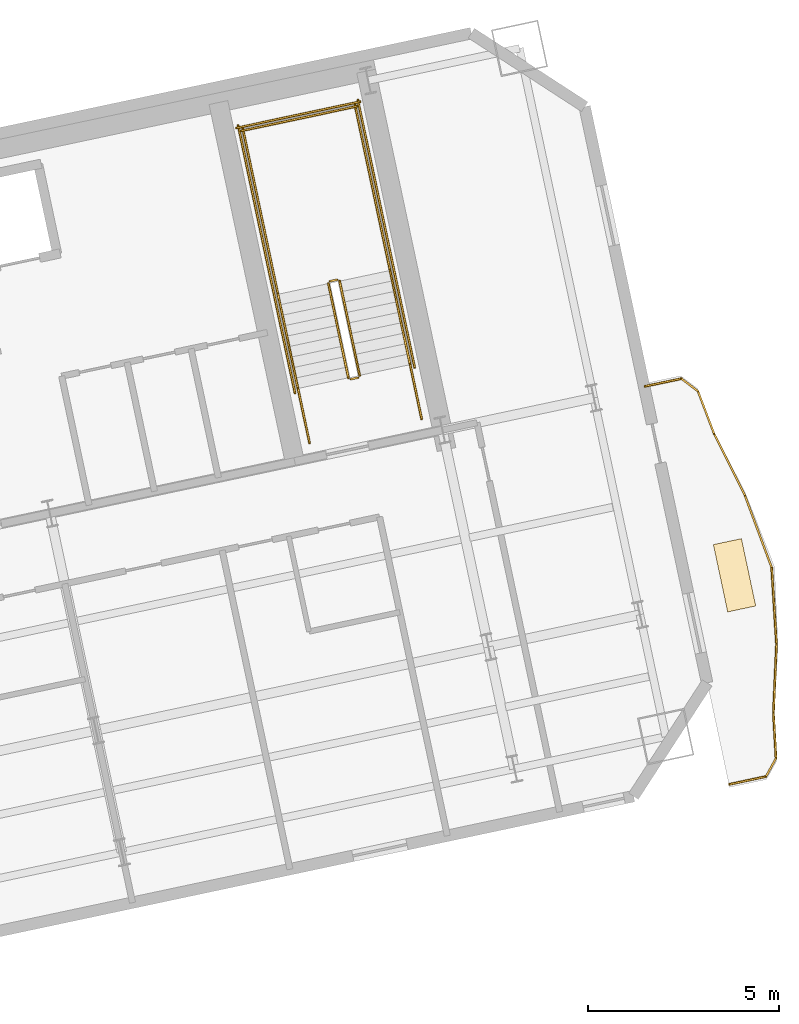
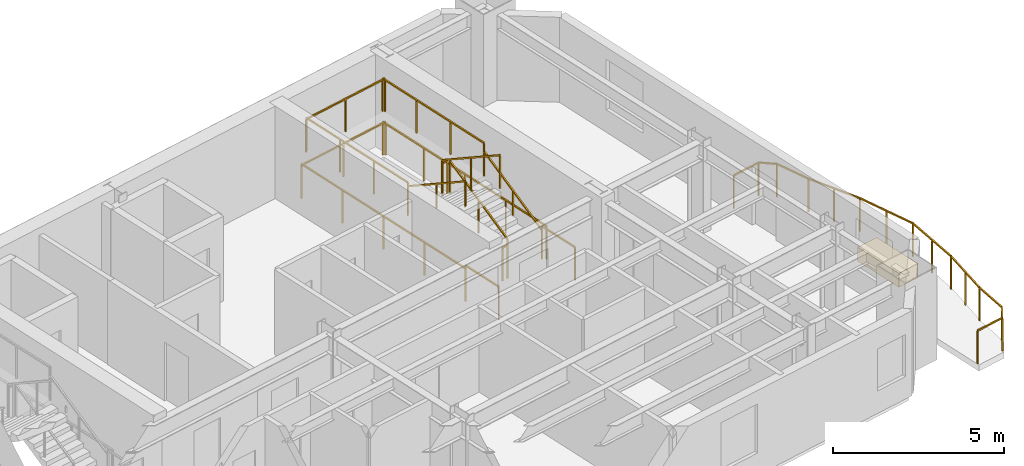
# One storey, part 13 of 13: 24 railings, 1 covering.
"""IFC4 building model written with IfcOpenShell, lengths in metres."""

from ifc_helpers import new_model, si_unit, direction, frame, origin, origin_2d, place, context, subcontext, project, spatial, rectangle, extrude, material, layer, layer_set, type_object, element, save


model = new_model("IFC4")

# Units and contexts
model_context = context("Model", 3, precision=1e-05, world=origin(), true_north=direction((0.0, 1.0)))
body_context = subcontext(model_context, "Body", "Model", "MODEL_VIEW")
ifc_project = project(units=[si_unit("LENGTHUNIT", "METRE"), si_unit("AREAUNIT", "SQUARE_METRE"), si_unit("VOLUMEUNIT", "CUBIC_METRE"), si_unit("PLANEANGLEUNIT", "RADIAN"), si_unit("MASSUNIT", "GRAM", prefix="KILO")], contexts=[model_context])

# Site, building, storey
site_placement = place(None, origin())
site = spatial("IfcSite", under=ifc_project, at=site_placement, CompositionType="ELEMENT")
building_placement = place(site_placement, origin())
building = spatial("IfcBuilding", under=site, at=building_placement, Name="Haevon Station Towers", CompositionType="ELEMENT")
storey_placement = place(building_placement, frame((0.0, 0.0, 162.60009765625)))
storey = spatial("IfcBuildingStorey", under=building, at=storey_placement, Name="L44", CompositionType="ELEMENT", Elevation=162.60009765625)

# Railings
ifc_material_1 = material(Name="Steel S355", Category="steel")
railing_type_1 = type_object("IfcRailingType", Name="GRD-EXT1200", PredefinedType="GUARDRAIL", material=ifc_material_1)
railing_1_placement = place(storey_placement, frame((126.807861328125, 32.541259765625, 0.0)))
element("IfcRailing", 1, at=railing_1_placement, inside=storey, type_object=railing_type_1, Name="L44 Perimeter Guardrail 1", PredefinedType="GUARDRAIL", context=body_context, shape_type="SweptSolid", body=[
    extrude(rectangle(XDim=0.048095703125, YDim=0.048095703125, at=origin_2d()), frame((0.0, 0.0, 1.17578125), z_axis=(0.97771801885, 0.209922546707, 0.0), x_axis=(-0.209922546707, 0.97771801885, 0.0)), (0.0, 0.0, 1.0), 0.974609375),
    extrude(rectangle(XDim=0.0419921875, YDim=0.0419921875, at=origin_2d()), origin(), (0.0, 0.0, 1.0), 1.15185546875),
    extrude(rectangle(XDim=0.0419921875, YDim=0.0419921875, at=origin_2d()), frame((0.952880859375, 0.20458984375, 0.0)), (0.0, 0.0, 1.0), 1.15185546875),
])
railing_2_placement = place(storey_placement, frame((127.7607421875, 32.745849609375, 0.0)))
element("IfcRailing", 2, at=railing_2_placement, inside=storey, type_object=railing_type_1, Name="L44 Perimeter Guardrail 2", PredefinedType="GUARDRAIL", context=body_context, shape_type="SweptSolid", body=[
    extrude(rectangle(XDim=0.048095703125, YDim=0.048095703125, at=origin_2d()), frame((0.0, 0.0, 1.17578125), z_axis=(0.480553613798, 0.876965349524, 0.0), x_axis=(-0.876965349524, 0.480553613798, 0.0)), (0.0, 0.0, 1.0), 0.54248046875),
    extrude(rectangle(XDim=0.0419921875, YDim=0.0419921875, at=origin_2d()), origin(), (0.0, 0.0, 1.0), 1.15185546875),
    extrude(rectangle(XDim=0.0419921875, YDim=0.0419921875, at=origin_2d()), frame((0.2607421875, 0.475830078125, 0.0)), (0.0, 0.0, 1.0), 1.15185546875),
])
railing_3_placement = place(storey_placement, frame((128.021484375, 33.2216796875, 0.0)))
element("IfcRailing", 3, at=railing_3_placement, inside=storey, type_object=railing_type_1, Name="L44 Perimeter Guardrail 3", PredefinedType="GUARDRAIL", context=body_context, shape_type="SweptSolid", body=[
    extrude(rectangle(XDim=0.048095703125, YDim=0.048095703125, at=origin_2d()), frame((0.0, 0.0, 1.17578125), z_axis=(-0.056486171086, 0.998403381643, 0.0), x_axis=(-0.998403381643, -0.056486171086, 0.0)), (0.0, 0.0, 1.0), 1.184326171875),
    extrude(rectangle(XDim=0.0419921875, YDim=0.0419921875, at=origin_2d()), origin(), (0.0, 0.0, 1.0), 1.15185546875),
    extrude(rectangle(XDim=0.0419921875, YDim=0.0419921875, at=origin_2d()), frame((-0.06689453125, 1.182373046875, 0.0)), (0.0, 0.0, 1.0), 1.15185546875),
])
railing_4_placement = place(storey_placement, frame((127.95458984375, 34.404052734375, 0.0)))
element("IfcRailing", 4, at=railing_4_placement, inside=storey, type_object=railing_type_1, Name="L44 Perimeter Guardrail 4", PredefinedType="GUARDRAIL", context=body_context, shape_type="SweptSolid", body=[
    extrude(rectangle(XDim=0.048095703125, YDim=0.048095703125, at=origin_2d()), frame((0.0, 0.0, 1.17578125), z_axis=(0.044358621954, 0.999015671878, 0.0), x_axis=(-0.999015671878, 0.044358621954, 0.0)), (0.0, 0.0, 1.0), 1.80517578125),
    extrude(rectangle(XDim=0.0419921875, YDim=0.0419921875, at=origin_2d()), origin(), (0.0, 0.0, 1.0), 1.15185546875),
    extrude(rectangle(XDim=0.0419921875, YDim=0.0419921875, at=origin_2d()), frame((0.0400390625, 0.90185546875, 0.0)), (0.0, 0.0, 1.0), 1.15185546875),
    extrude(rectangle(XDim=0.0419921875, YDim=0.0419921875, at=origin_2d()), frame((0.080078125, 1.803466796875, 0.0)), (0.0, 0.0, 1.0), 1.15185546875),
])
railing_5_placement = place(storey_placement, frame((128.03466796875, 36.20751953125, 0.0)))
element("IfcRailing", 5, at=railing_5_placement, inside=storey, type_object=railing_type_1, Name="L44 Perimeter Guardrail 5", PredefinedType="GUARDRAIL", context=body_context, shape_type="SweptSolid", body=[
    extrude(rectangle(XDim=0.048095703125, YDim=0.048095703125, at=origin_2d()), frame((0.0, 0.0, 1.17578125), z_axis=(-0.063201459977, 0.998000789307, 0.0), x_axis=(-0.998000789307, -0.063201459977, 0.0)), (0.0, 0.0, 1.0), 2.012451171875),
    extrude(rectangle(XDim=0.0419921875, YDim=0.0419921875, at=origin_2d()), origin(), (0.0, 0.0, 1.0), 1.15185546875),
    extrude(rectangle(XDim=0.0419921875, YDim=0.0419921875, at=origin_2d()), frame((-0.0634765625, 1.00439453125, 0.0)), (0.0, 0.0, 1.0), 1.15185546875),
    extrude(rectangle(XDim=0.0419921875, YDim=0.0419921875, at=origin_2d()), frame((-0.127197265625, 2.008544921875, 0.0)), (0.0, 0.0, 1.0), 1.15185546875),
])
railing_6_placement = place(storey_placement, frame((127.907470703125, 38.216064453125, 0.0)))
element("IfcRailing", 6, at=railing_6_placement, inside=storey, type_object=railing_type_1, Name="L44 Perimeter Guardrail 6", PredefinedType="GUARDRAIL", context=body_context, shape_type="SweptSolid", body=[
    extrude(rectangle(XDim=0.048095703125, YDim=0.048095703125, at=origin_2d()), frame((0.0, 0.0, 1.17578125), z_axis=(-0.34818348359, 0.937426403381, 0.0), x_axis=(-0.937426403381, -0.34818348359, 0.0)), (0.0, 0.0, 1.0), 2.012451171875),
    extrude(rectangle(XDim=0.0419921875, YDim=0.0419921875, at=origin_2d()), origin(), (0.0, 0.0, 1.0), 1.15185546875),
    extrude(rectangle(XDim=0.0419921875, YDim=0.0419921875, at=origin_2d()), frame((-0.350341796875, 0.943359375, 0.0)), (0.0, 0.0, 1.0), 1.15185546875),
    extrude(rectangle(XDim=0.0419921875, YDim=0.0419921875, at=origin_2d()), frame((-0.70068359375, 1.886474609375, 0.0)), (0.0, 0.0, 1.0), 1.15185546875),
])
railing_7_placement = place(storey_placement, frame((127.206787109375, 40.1025390625, 0.0)))
element("IfcRailing", 7, at=railing_7_placement, inside=storey, type_object=railing_type_1, Name="L44 Perimeter Guardrail 7", PredefinedType="GUARDRAIL", context=body_context, shape_type="SweptSolid", body=[
    extrude(rectangle(XDim=0.048095703125, YDim=0.048095703125, at=origin_2d()), frame((0.0, 0.0, 1.17578125), z_axis=(-0.446780825657, 0.89464344508, 0.0), x_axis=(-0.89464344508, -0.446780825657, 0.0)), (0.0, 0.0, 1.0), 1.805419921875),
    extrude(rectangle(XDim=0.0419921875, YDim=0.0419921875, at=origin_2d()), origin(), (0.0, 0.0, 1.0), 1.15185546875),
    extrude(rectangle(XDim=0.0419921875, YDim=0.0419921875, at=origin_2d()), frame((-0.4033203125, 0.8076171875, 0.0)), (0.0, 0.0, 1.0), 1.15185546875),
    extrude(rectangle(XDim=0.0419921875, YDim=0.0419921875, at=origin_2d()), frame((-0.806640625, 1.615234375, 0.0)), (0.0, 0.0, 1.0), 1.15185546875),
])
railing_8_placement = place(storey_placement, frame((126.400146484375, 41.7177734375, 0.0)))
element("IfcRailing", 8, at=railing_8_placement, inside=storey, type_object=railing_type_1, Name="L44 Perimeter Guardrail 8", PredefinedType="GUARDRAIL", context=body_context, shape_type="SweptSolid", body=[
    extrude(rectangle(XDim=0.048095703125, YDim=0.048095703125, at=origin_2d()), frame((0.0, 0.0, 1.17578125), z_axis=(-0.354623157462, 0.935009313425, 0.0), x_axis=(-0.935009313425, -0.354623157462, 0.0)), (0.0, 0.0, 1.0), 1.18408203125),
    extrude(rectangle(XDim=0.0419921875, YDim=0.0419921875, at=origin_2d()), origin(), (0.0, 0.0, 1.0), 1.15185546875),
    extrude(rectangle(XDim=0.0419921875, YDim=0.0419921875, at=origin_2d()), frame((-0.419921875, 1.107177734375, 0.0)), (0.0, 0.0, 1.0), 1.15185546875),
])
railing_9_placement = place(storey_placement, frame((125.980224609375, 42.824951171875, 0.0)))
element("IfcRailing", 9, at=railing_9_placement, inside=storey, type_object=railing_type_1, Name="L44 Perimeter Guardrail 9", PredefinedType="GUARDRAIL", context=body_context, shape_type="SweptSolid", body=[
    extrude(rectangle(XDim=0.048095703125, YDim=0.048095703125, at=origin_2d()), frame((0.0, 0.0, 1.17578125), z_axis=(-0.795823981278, 0.605528026456, 0.0), x_axis=(-0.605528026456, -0.795823981278, 0.0)), (0.0, 0.0, 1.0), 0.542724609375),
    extrude(rectangle(XDim=0.0419921875, YDim=0.0419921875, at=origin_2d()), origin(), (0.0, 0.0, 1.0), 1.15185546875),
    extrude(rectangle(XDim=0.0419921875, YDim=0.0419921875, at=origin_2d()), frame((-0.431884765625, 0.32861328125, 0.0)), (0.0, 0.0, 1.0), 1.15185546875),
])
railing_10_placement = place(storey_placement, frame((125.54833984375, 43.153564453125, 0.0)))
element("IfcRailing", 10, at=railing_10_placement, inside=storey, type_object=railing_type_1, Name="L44 Perimeter Guardrail 10", PredefinedType="GUARDRAIL", context=body_context, shape_type="SweptSolid", body=[
    extrude(rectangle(XDim=0.048095703125, YDim=0.048095703125, at=origin_2d()), frame((0.0, 0.0, 1.17578125), z_axis=(-0.978555102227, -0.205985222543, 0.0), x_axis=(0.205985222543, -0.978555102227, 0.0)), (0.0, 0.0, 1.0), 0.974365234375),
    extrude(rectangle(XDim=0.0419921875, YDim=0.0419921875, at=origin_2d()), origin(), (0.0, 0.0, 1.0), 1.15185546875),
    extrude(rectangle(XDim=0.0419921875, YDim=0.0419921875, at=origin_2d()), frame((-0.953369140625, -0.20068359375, 0.0)), (0.0, 0.0, 1.0), 1.15185546875),
])
railing_type_2 = type_object("IfcRailingType", Name="GRD-STR1200", PredefinedType="GUARDRAIL", material=ifc_material_1)
railing_11_placement = place(storey_placement, frame((117.128662109375, 43.23974609375, 0.164794921875)))
element("IfcRailing", 11, at=railing_11_placement, inside=storey, type_object=railing_type_2, Name="L44 ST4 Stair Guard 1", PredefinedType="GUARDRAIL", context=body_context, shape_type="SweptSolid", body=[
    extrude(rectangle(XDim=0.048095703125, YDim=0.048095703125, at=origin_2d()), frame((0.0, 0.0, 1.17578125), z_axis=(-0.179121265225, 0.842687928106, 0.507732831485), x_axis=(-0.978147030254, -0.207914374695, 0.0)), (0.0, 0.0, 1.0), 2.925048828125),
    extrude(rectangle(XDim=0.0419921875, YDim=0.0419921875, at=origin_2d()), origin(), (0.0, 0.0, 1.0), 1.15185546875),
    extrude(rectangle(XDim=0.0419921875, YDim=0.0419921875, at=origin_2d()), frame((-0.261962890625, 1.232421875, 0.74267578125)), (0.0, 0.0, 1.0), 1.15185546875),
    extrude(rectangle(XDim=0.0419921875, YDim=0.0419921875, at=origin_2d()), frame((-0.52392578125, 2.46484375, 1.485107421875)), (0.0, 0.0, 1.0), 1.15185546875),
])
railing_12_placement = place(storey_placement, frame((116.54541015625, 45.7431640625, 1.64990234375)))
element("IfcRailing", 12, at=railing_12_placement, inside=storey, type_object=railing_type_2, Name="L44 ST4 Stair Guard 2", PredefinedType="GUARDRAIL", context=body_context, shape_type="SweptSolid", body=[
    extrude(rectangle(XDim=0.048095703125, YDim=0.048095703125, at=origin_2d()), frame((0.0, 0.0, 1.17578125), z_axis=(-0.97826412705, -0.207362720198, 0.0), x_axis=(0.207362720198, -0.97826412705, 0.0)), (0.0, 0.0, 1.0), 0.2001953125),
    extrude(rectangle(XDim=0.0419921875, YDim=0.0419921875, at=origin_2d()), origin(), (0.0, 0.0, 1.0), 1.15185546875),
    extrude(rectangle(XDim=0.0419921875, YDim=0.0419921875, at=origin_2d()), frame((-0.19580078125, -0.04150390625, 0.0)), (0.0, 0.0, 1.0), 1.15185546875),
])
railing_13_placement = place(storey_placement, frame((117.925048828125, 45.9853515625, 1.64990234375)))
element("IfcRailing", 13, at=railing_13_placement, inside=storey, type_object=railing_type_2, Name="L44 ST4 Stair Guard 3", PredefinedType="GUARDRAIL", context=body_context, shape_type="SweptSolid", body=[
    extrude(rectangle(XDim=0.048095703125, YDim=0.048095703125, at=origin_2d()), frame((0.0, 0.0, 1.17578125), z_axis=(-0.207876551949, 0.978155069071, 0.0), x_axis=(-0.978155069071, -0.207876551949, 0.0)), (0.0, 0.0, 1.0), 4.429931640625),
    extrude(rectangle(XDim=0.0419921875, YDim=0.0419921875, at=origin_2d()), origin(), (0.0, 0.0, 1.0), 1.15185546875),
    extrude(rectangle(XDim=0.0419921875, YDim=0.0419921875, at=origin_2d()), frame((-0.306884765625, 1.4443359375, 0.0)), (0.0, 0.0, 1.0), 1.15185546875),
    extrude(rectangle(XDim=0.0419921875, YDim=0.0419921875, at=origin_2d()), frame((-0.614013671875, 2.888916015625, 0.0)), (0.0, 0.0, 1.0), 1.15185546875),
    extrude(rectangle(XDim=0.0419921875, YDim=0.0419921875, at=origin_2d()), frame((-0.9208984375, 4.333251953125, 0.0)), (0.0, 0.0, 1.0), 1.15185546875),
])
railing_14_placement = place(storey_placement, frame((114.99072265625, 45.361572265625, 1.64990234375)))
element("IfcRailing", 14, at=railing_14_placement, inside=storey, type_object=railing_type_2, Name="L44 ST4 Stair Guard 4", PredefinedType="GUARDRAIL", context=body_context, shape_type="SweptSolid", body=[
    extrude(rectangle(XDim=0.048095703125, YDim=0.048095703125, at=origin_2d()), frame((0.0, 0.0, 1.17578125), z_axis=(-0.207929280007, 0.978143861871, 0.0), x_axis=(-0.978143861871, -0.207929280007, 0.0)), (0.0, 0.0, 1.0), 4.43017578125),
    extrude(rectangle(XDim=0.0419921875, YDim=0.0419921875, at=origin_2d()), origin(), (0.0, 0.0, 1.0), 1.15185546875),
    extrude(rectangle(XDim=0.0419921875, YDim=0.0419921875, at=origin_2d()), frame((-0.30712890625, 1.4443359375, 0.0)), (0.0, 0.0, 1.0), 1.15185546875),
    extrude(rectangle(XDim=0.0419921875, YDim=0.0419921875, at=origin_2d()), frame((-0.614013671875, 2.888916015625, 0.0)), (0.0, 0.0, 1.0), 1.15185546875),
    extrude(rectangle(XDim=0.0419921875, YDim=0.0419921875, at=origin_2d()), frame((-0.921142578125, 4.333251953125, 0.0)), (0.0, 0.0, 1.0), 1.15185546875),
])
railing_15_placement = place(storey_placement, frame((117.0634765625, 50.280029296875, 1.64990234375)))
element("IfcRailing", 15, at=railing_15_placement, inside=storey, type_object=railing_type_2, Name="L44 ST4 Stair Guard 5", PredefinedType="GUARDRAIL", context=body_context, shape_type="SweptSolid", body=[
    extrude(rectangle(XDim=0.048095703125, YDim=0.048095703125, at=origin_2d()), frame((0.0, 0.0, 1.17578125), z_axis=(-0.978146839882, -0.207915270313, 0.0), x_axis=(0.207915270313, -0.978146839882, 0.0)), (0.0, 0.0, 1.0), 3.099853515625),
    extrude(rectangle(XDim=0.0419921875, YDim=0.0419921875, at=origin_2d()), origin(), (0.0, 0.0, 1.0), 1.15185546875),
    extrude(rectangle(XDim=0.0419921875, YDim=0.0419921875, at=origin_2d()), frame((-1.51611328125, -0.322265625, 0.0)), (0.0, 0.0, 1.0), 1.15185546875),
    extrude(rectangle(XDim=0.0419921875, YDim=0.0419921875, at=origin_2d()), frame((-3.0322265625, -0.64453125, 0.0)), (0.0, 0.0, 1.0), 1.15185546875),
])
railing_16_placement = place(storey_placement, frame((116.311279296875, 45.642333984375, 1.81494140625)))
element("IfcRailing", 16, at=railing_16_placement, inside=storey, type_object=railing_type_2, Name="L44 ST4 Stair Guard 6", PredefinedType="GUARDRAIL", context=body_context, shape_type="SweptSolid", body=[
    extrude(rectangle(XDim=0.048095703125, YDim=0.048095703125, at=origin_2d()), frame((0.0, 0.0, 1.17578125), z_axis=(0.179116256339, -0.842747828638, 0.507635168246), x_axis=(0.978151217824, 0.207894673017, 0.0)), (0.0, 0.0, 1.0), 2.925048828125),
    extrude(rectangle(XDim=0.0419921875, YDim=0.0419921875, at=origin_2d()), origin(), (0.0, 0.0, 1.0), 1.15185546875),
    extrude(rectangle(XDim=0.0419921875, YDim=0.0419921875, at=origin_2d()), frame((0.261962890625, -1.232421875, 0.742431640625)), (0.0, 0.0, 1.0), 1.15185546875),
    extrude(rectangle(XDim=0.0419921875, YDim=0.0419921875, at=origin_2d()), frame((0.52392578125, -2.465087890625, 1.48486328125)), (0.0, 0.0, 1.0), 1.15185546875),
])
railing_17_placement = place(storey_placement, frame((117.090087890625, 43.180419921875, 0.0)))
element("IfcRailing", 17, at=railing_17_placement, inside=storey, type_object=railing_type_2, Name="L44 ST4 Stair Guard 7", PredefinedType="GUARDRAIL", context=body_context, shape_type="SweptSolid", body=[
    extrude(rectangle(XDim=0.048095703125, YDim=0.048095703125, at=origin_2d()), frame((0.0, 0.0, 1.17578125), z_axis=(-0.978211583308, -0.207610448392, 0.0), x_axis=(0.207610448392, -0.978211583308, 0.0)), (0.0, 0.0, 1.0), 0.199951171875),
    extrude(rectangle(XDim=0.0419921875, YDim=0.0419921875, at=origin_2d()), origin(), (0.0, 0.0, 1.0), 1.15185546875),
    extrude(rectangle(XDim=0.0419921875, YDim=0.0419921875, at=origin_2d()), frame((-0.195556640625, -0.04150390625, 0.0)), (0.0, 0.0, 1.0), 1.15185546875),
])
for number, where, name in (
    (18, (118.75048828125, 42.10205078125, 0.0), "L44 ST4 Stair Guard 8"),
    (19, (115.816162109375, 41.478271484375, 0.0), "L44 ST4 Stair Guard 9"),
):
    element("IfcRailing", number, at=place(storey_placement, frame(where)), inside=storey, type_object=railing_type_2, Name=name, PredefinedType="GUARDRAIL", context=body_context, shape_type="SweptSolid", body=[
        extrude(rectangle(XDim=0.048095703125, YDim=0.048095703125, at=origin_2d()), frame((0.0, 0.0, 1.17578125), z_axis=(-0.207919161079, 0.978146012851, 0.0), x_axis=(-0.978146012851, -0.207919161079, 0.0)), (0.0, 0.0, 1.0), 1.4501953125),
        extrude(rectangle(XDim=0.0419921875, YDim=0.0419921875, at=origin_2d()), origin(), (0.0, 0.0, 1.0), 1.15185546875),
        extrude(rectangle(XDim=0.0419921875, YDim=0.0419921875, at=origin_2d()), frame((-0.301513671875, 1.41845703125, 0.0)), (0.0, 0.0, 1.0), 1.15185546875),
    ])
railing_18_placement = place(storey_placement, frame((118.567626953125, 43.443359375, 0.0)))
element("IfcRailing", 20, at=railing_18_placement, inside=storey, type_object=railing_type_2, Name="L44 ST4 Stair Guard 10", PredefinedType="GUARDRAIL", context=body_context, shape_type="SweptSolid", body=[
    extrude(rectangle(XDim=0.048095703125, YDim=0.048095703125, at=origin_2d()), frame((0.0, 0.0, 1.17578125), z_axis=(-0.207908168386, 0.978148349443, 0.0), x_axis=(-0.978148349443, -0.207908168386, 0.0)), (0.0, 0.0, 1.0), 7.150146484375),
    extrude(rectangle(XDim=0.0419921875, YDim=0.0419921875, at=origin_2d()), origin(), (0.0, 0.0, 1.0), 1.15185546875),
    extrude(rectangle(XDim=0.0419921875, YDim=0.0419921875, at=origin_2d()), frame((-0.37158203125, 1.74853515625, 0.0)), (0.0, 0.0, 1.0), 1.15185546875),
    extrude(rectangle(XDim=0.0419921875, YDim=0.0419921875, at=origin_2d()), frame((-0.7431640625, 3.4970703125, 0.0)), (0.0, 0.0, 1.0), 1.15185546875),
    extrude(rectangle(XDim=0.0419921875, YDim=0.0419921875, at=origin_2d()), frame((-1.114990234375, 5.245361328125, 0.0)), (0.0, 0.0, 1.0), 1.15185546875),
    extrude(rectangle(XDim=0.0419921875, YDim=0.0419921875, at=origin_2d()), frame((-1.486572265625, 6.993896484375, 0.0)), (0.0, 0.0, 1.0), 1.15185546875),
])
railing_19_placement = place(storey_placement, frame((115.4375, 42.778076171875, 0.0)))
element("IfcRailing", 21, at=railing_19_placement, inside=storey, type_object=railing_type_2, Name="L44 ST4 Stair Guard 11", PredefinedType="GUARDRAIL", context=body_context, shape_type="SweptSolid", body=[
    extrude(rectangle(XDim=0.048095703125, YDim=0.048095703125, at=origin_2d()), frame((0.0, 0.0, 1.17578125), z_axis=(-0.207882442208, 0.978153817261, 0.0), x_axis=(-0.978153817261, -0.207882442208, 0.0)), (0.0, 0.0, 1.0), 7.14990234375),
    extrude(rectangle(XDim=0.0419921875, YDim=0.0419921875, at=origin_2d()), origin(), (0.0, 0.0, 1.0), 1.15185546875),
    extrude(rectangle(XDim=0.0419921875, YDim=0.0419921875, at=origin_2d()), frame((-0.37158203125, 1.74853515625, 0.0)), (0.0, 0.0, 1.0), 1.15185546875),
    extrude(rectangle(XDim=0.0419921875, YDim=0.0419921875, at=origin_2d()), frame((-0.7431640625, 3.496826171875, 0.0)), (0.0, 0.0, 1.0), 1.15185546875),
    extrude(rectangle(XDim=0.0419921875, YDim=0.0419921875, at=origin_2d()), frame((-1.11474609375, 5.2451171875, 0.0)), (0.0, 0.0, 1.0), 1.15185546875),
    extrude(rectangle(XDim=0.0419921875, YDim=0.0419921875, at=origin_2d()), frame((-1.486328125, 6.99365234375, 0.0)), (0.0, 0.0, 1.0), 1.15185546875),
])
railing_20_placement = place(storey_placement, frame((117.140380859375, 50.398681640625, 0.0)))
element("IfcRailing", 22, at=railing_20_placement, inside=storey, type_object=railing_type_2, Name="L44 ST4 Stair Guard 12", PredefinedType="GUARDRAIL", context=body_context, shape_type="SweptSolid", body=[
    extrude(rectangle(XDim=0.048095703125, YDim=0.048095703125, at=origin_2d()), frame((0.0, 0.0, 1.17578125), z_axis=(-0.978135717418, -0.207967589567, 0.0), x_axis=(0.207967589567, -0.978135717418, 0.0)), (0.0, 0.0, 1.0), 3.300048828125),
    extrude(rectangle(XDim=0.0419921875, YDim=0.0419921875, at=origin_2d()), origin(), (0.0, 0.0, 1.0), 1.15185546875),
    extrude(rectangle(XDim=0.0419921875, YDim=0.0419921875, at=origin_2d()), frame((-1.61376953125, -0.34326171875, 0.0)), (0.0, 0.0, 1.0), 1.15185546875),
    extrude(rectangle(XDim=0.0419921875, YDim=0.0419921875, at=origin_2d()), frame((-3.227783203125, -0.686279296875, 0.0)), (0.0, 0.0, 1.0), 1.15185546875),
])
railing_type_3 = type_object("IfcRailingType", Name="HND-STR900", PredefinedType="HANDRAIL", material=ifc_material_1)
railing_21_placement = place(storey_placement, frame((118.448974609375, 43.5205078125, 0.164794921875)))
element("IfcRailing", 23, at=railing_21_placement, inside=storey, type_object=railing_type_3, Name="L44 ST4 Stair Handrail 1", PredefinedType="HANDRAIL", context=body_context, shape_type="SweptSolid", body=[
    extrude(rectangle(XDim=0.048095703125, YDim=0.048095703125, at=origin_2d()), frame((0.0, 0.0, 0.8759765625), z_axis=(-0.179121265225, 0.842687928106, 0.507732831485), x_axis=(-0.978147030254, -0.207914374695, 0.0)), (0.0, 0.0, 1.0), 2.925048828125),
    extrude(rectangle(XDim=0.0419921875, YDim=0.0419921875, at=origin_2d()), origin(), (0.0, 0.0, 1.0), 0.851806640625),
    extrude(rectangle(XDim=0.0419921875, YDim=0.0419921875, at=origin_2d()), frame((-0.261962890625, 1.232421875, 0.74267578125)), (0.0, 0.0, 1.0), 0.851806640625),
    extrude(rectangle(XDim=0.0419921875, YDim=0.0419921875, at=origin_2d()), frame((-0.52392578125, 2.46484375, 1.485107421875)), (0.0, 0.0, 1.0), 0.851806640625),
])
railing_22_placement = place(storey_placement, frame((114.99072265625, 45.361572265625, 1.81494140625)))
element("IfcRailing", 24, at=railing_22_placement, inside=storey, type_object=railing_type_3, Name="L44 ST4 Stair Handrail 2", PredefinedType="HANDRAIL", context=body_context, shape_type="SweptSolid", body=[
    extrude(rectangle(XDim=0.048095703125, YDim=0.048095703125, at=origin_2d()), frame((0.0, 0.0, 0.8759765625), z_axis=(0.179128856099, -0.842723639875, 0.507670877349), x_axis=(0.978147030254, 0.207914374695, 0.0)), (0.0, 0.0, 1.0), 2.9248046875),
    extrude(rectangle(XDim=0.0419921875, YDim=0.0419921875, at=origin_2d()), origin(), (0.0, 0.0, 1.0), 0.851806640625),
    extrude(rectangle(XDim=0.0419921875, YDim=0.0419921875, at=origin_2d()), frame((0.261962890625, -1.232421875, 0.742431640625)), (0.0, 0.0, 1.0), 0.851806640625),
    extrude(rectangle(XDim=0.0419921875, YDim=0.0419921875, at=origin_2d()), frame((0.52392578125, -2.46484375, 1.48486328125)), (0.0, 0.0, 1.0), 0.851806640625),
])

# Covering
ifc_material_2 = material(Name="Architectural planter GRC", Category="concrete")
ifc_layer = layer(ifc_material_2, 0.550048828125)
ifc_layer_set = layer_set([ifc_layer], Name="Architectural planter GRC")
covering_type = type_object("IfcCoveringType", Name="PLN-GRC550", PredefinedType="MOLDING", material=ifc_layer_set)
covering_placement = place(storey_placement, frame((126.937744140625, 38.009765625, 0.0), z_axis=(0.0, 0.0, 1.0), x_axis=(0.978147600734, 0.207911690818, 0.0)))
element("IfcCovering", 25, at=covering_placement, inside=storey, type_object=covering_type, Name="Tower 2 L44 Scalloped Balcony PLANTER", PredefinedType="MOLDING", context=body_context, shape_type="SweptSolid", body=[
    extrude(rectangle(XDim=0.75, YDim=1.800048828125, at=origin_2d()), origin(), (0.0, 0.0, 1.0), 0.5),
])

save(model, "model.ifc")
